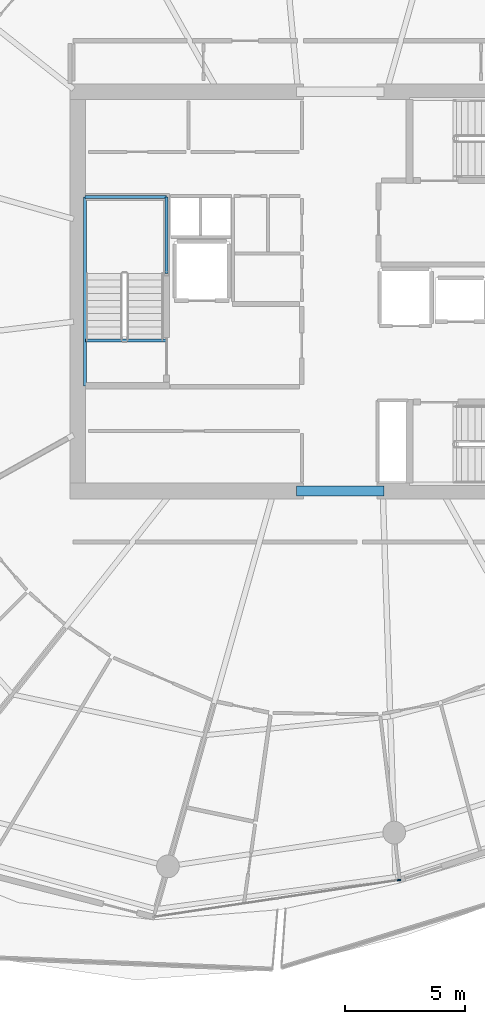
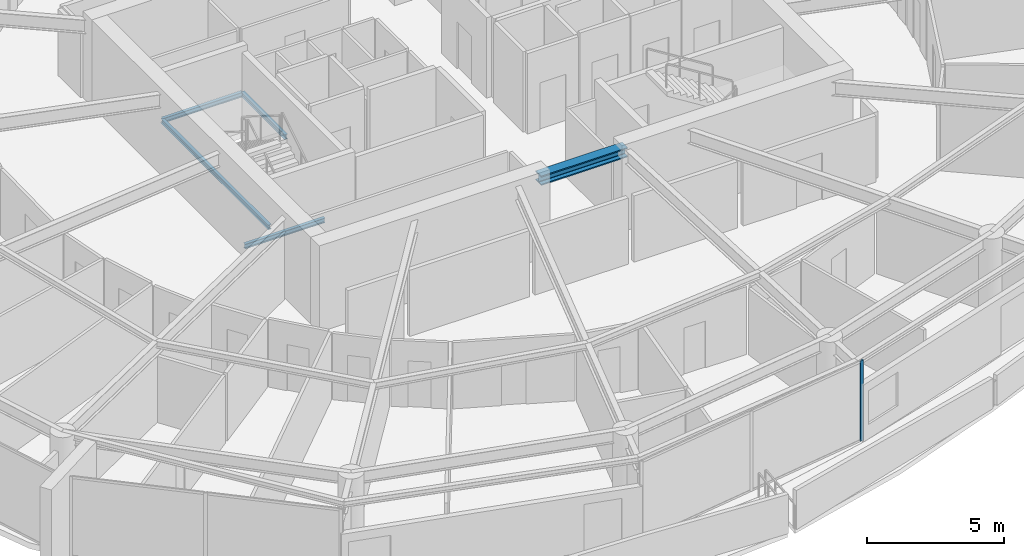
# One storey, part 9 of 31: 5 beams, 1 member, 1 element without a shape of its own.
"""IFC4 building model written with IfcOpenShell, lengths in metres."""

from ifc_helpers import new_model, si_unit, direction, frame, origin, origin_2d, place, context, subcontext, project, spatial, rectangle, i_section, extrude, material, layer, layer_set, material_profile, profile_set, type_object, element, aggregate, save


model = new_model("IFC4")

# Units and contexts
model_context = context("Model", 3, precision=1e-05, world=origin(), true_north=direction((0.0, 1.0)))
body_context = subcontext(model_context, "Body", "Model", "MODEL_VIEW")
ifc_project = project(units=[si_unit("LENGTHUNIT", "METRE"), si_unit("AREAUNIT", "SQUARE_METRE"), si_unit("VOLUMEUNIT", "CUBIC_METRE"), si_unit("PLANEANGLEUNIT", "RADIAN"), si_unit("MASSUNIT", "GRAM", prefix="KILO")], contexts=[model_context])

# Site, building, storey
site_placement = place(None, origin())
site = spatial("IfcSite", under=ifc_project, at=site_placement, CompositionType="ELEMENT")
building_placement = place(site_placement, origin())
building = spatial("IfcBuilding", under=site, at=building_placement, Name="Kazma Halo Residences", CompositionType="ELEMENT")
storey_placement = place(building_placement, frame((0.0, 0.0, 240.550048828125)))
storey = spatial("IfcBuildingStorey", under=building, at=storey_placement, Name="L60", CompositionType="ELEMENT", Elevation=240.550048828125)

# Beams
ifc_material_1 = material(Name="Steel S355", Category="steel")
ifc_material_profile_1 = material_profile(ifc_material_1, i_section(OverallWidth=0.408935546875, OverallDepth=0.425048828125, WebThickness=0.03271484375, FlangeThickness=0.052490234375, FilletRadius=0.02001953125, at=origin_2d()), Name="W360x421")
ifc_profile_set_1 = profile_set([ifc_material_profile_1], Name="Steel S355")
beam_type_1 = type_object("IfcBeamType", Name="BM-CORE-W360H", PredefinedType="BEAM", material=ifc_profile_set_1)
beam_1_placement = place(storey_placement, frame((46.60009765625, 33.675048828125, 3.37744140625), z_axis=(1.0, 0.0, 0.0), x_axis=(0.0, 1.0, 0.0)))
element("IfcBeam", 1, at=beam_1_placement, inside=storey, type_object=beam_type_1, Name="L60 core coupling beam S", PredefinedType="BEAM", context=body_context, shape_type="SweptSolid", body=[
    extrude(i_section(OverallWidth=0.408935546875, OverallDepth=0.425048828125, WebThickness=0.03271484375, FlangeThickness=0.052490234375, FilletRadius=0.02001953125, at=origin_2d()), origin(), (0.0, 0.0, 1.0), 3.64990234375),
])
ifc_material_profile_2 = material_profile(ifc_material_1, i_section(OverallWidth=0.133056640625, OverallDepth=0.20703125, WebThickness=0.005859375, FlangeThickness=0.00830078125, FilletRadius=0.010009765625, at=origin_2d()), Name="W200x26.6")
ifc_profile_set_2 = profile_set([ifc_material_profile_2], Name="Steel S355")
beam_type_2 = type_object("IfcBeamType", Name="BM-TRIM-W200", PredefinedType="BEAM", material=ifc_profile_set_2)
beam_2_placement = place(storey_placement, frame((37.800048828125, 39.949951171875, -0.3701171875), z_axis=(1.0, 0.0, 0.0), x_axis=(0.0, 1.0, 0.0)))
element("IfcBeam", 2, at=beam_2_placement, inside=storey, type_object=beam_type_2, Name="L60 ST-01 floor landing support beam", PredefinedType="BEAM", context=body_context, shape_type="SweptSolid", body=[
    extrude(i_section(OverallWidth=0.133056640625, OverallDepth=0.20703125, WebThickness=0.005859375, FlangeThickness=0.00830078125, FilletRadius=0.010009765625, at=origin_2d()), origin(), (0.0, 0.0, 1.0), 3.3798828125),
])
beam_3_placement = place(storey_placement, frame((37.780029296875, 38.06005859375, 1.619873046875), z_axis=(0.0, 1.0, 0.0), x_axis=(-1.0, 0.0, 0.0)))
element("IfcBeam", 3, at=beam_3_placement, inside=storey, type_object=beam_type_2, Name="L60 ST-01 landing west wall ledger", PredefinedType="BEAM", context=body_context, shape_type="SweptSolid", body=[
    extrude(i_section(OverallWidth=0.133056640625, OverallDepth=0.20703125, WebThickness=0.005859375, FlangeThickness=0.00830078125, FilletRadius=0.010009765625, at=origin_2d()), origin(), (0.0, 0.0, 1.0), 7.8798828125),
])
beam_4_placement = place(storey_placement, frame((41.179931640625, 42.75, 1.619873046875), z_axis=(0.0, 1.0, 0.0), x_axis=(-1.0, 0.0, 0.0)))
element("IfcBeam", 4, at=beam_4_placement, inside=storey, type_object=beam_type_2, Name="L60 ST-01 landing east wall ledger", PredefinedType="BEAM", context=body_context, shape_type="SweptSolid", body=[
    extrude(i_section(OverallWidth=0.133056640625, OverallDepth=0.20703125, WebThickness=0.005859375, FlangeThickness=0.00830078125, FilletRadius=0.010009765625, at=origin_2d()), origin(), (0.0, 0.0, 1.0), 3.18994140625),
])
beam_5_placement = place(storey_placement, frame((37.780029296875, 45.93994140625, 1.619873046875), z_axis=(1.0, 0.0, 0.0), x_axis=(0.0, 1.0, 0.0)))
element("IfcBeam", 5, at=beam_5_placement, inside=storey, type_object=beam_type_2, Name="L60 ST-01 landing end wall ledger", PredefinedType="BEAM", context=body_context, shape_type="SweptSolid", body=[
    extrude(i_section(OverallWidth=0.133056640625, OverallDepth=0.20703125, WebThickness=0.005859375, FlangeThickness=0.00830078125, FilletRadius=0.010009765625, at=origin_2d()), origin(), (0.0, 0.0, 1.0), 3.39990234375),
])

# Curtain wall, member
ifc_material_2 = material(Name="Aluminium AW-6063 T6 and Triple-Silver Low-E Glass", Category="aluminium")
ifc_layer = layer(ifc_material_2, 0.139892578125)
ifc_layer_set = layer_set([ifc_layer], Name="Aluminium AW-6063 T6 and Triple-Silver Low-E Glass")
curtain_wall_type = type_object("IfcCurtainWallType", Name="CW-SYS-5", PredefinedType="NOTDEFINED", material=ifc_layer_set)
curtain_wall_placement = place(storey_placement, origin())
curtain_wall = element("IfcCurtainWall", 6, at=curtain_wall_placement, inside=storey, type_object=curtain_wall_type, Name="L60 unitised curtain wall B11", PredefinedType="NOTDEFINED")
ifc_material_3 = material(Name="Aluminium AW-6063 T6", Category="aluminium")
ifc_material_profile_3 = material_profile(ifc_material_3, rectangle(XDim=0.06005859375, YDim=0.139892578125, at=origin_2d()), Name="CWM-60x140")
ifc_profile_set_3 = profile_set([ifc_material_profile_3], Name="Aluminium AW-6063 T6")
member_type = type_object("IfcMemberType", Name="CW-SYS-5-MUL", PredefinedType="MULLION", material=ifc_profile_set_3)
member_placement = place(storey_placement, frame((50.875732421875, 17.447265625, 0.0), z_axis=(0.0, 0.0, 1.0), x_axis=(-0.148697080374, 0.988882792998, 0.0)))
member = element("IfcMember", 7, at=member_placement, type_object=member_type, Name="CWS-5 mullion 3", PredefinedType="MULLION", context=body_context, shape_type="SweptSolid", body=[
    extrude(rectangle(XDim=0.06005859375, YDim=0.139892578125, at=origin_2d()), origin(), (0.0, 0.0, 1.0), 3.58984375),
])
aggregate(curtain_wall, [member])

save(model, "model.ifc")
